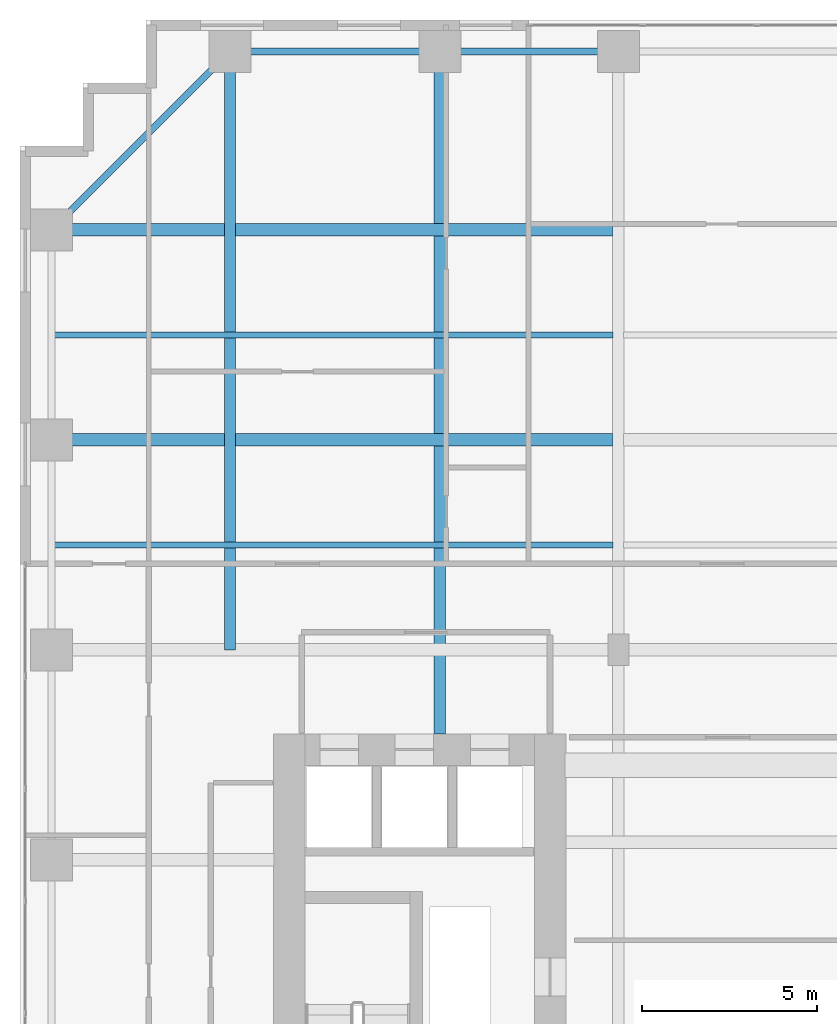
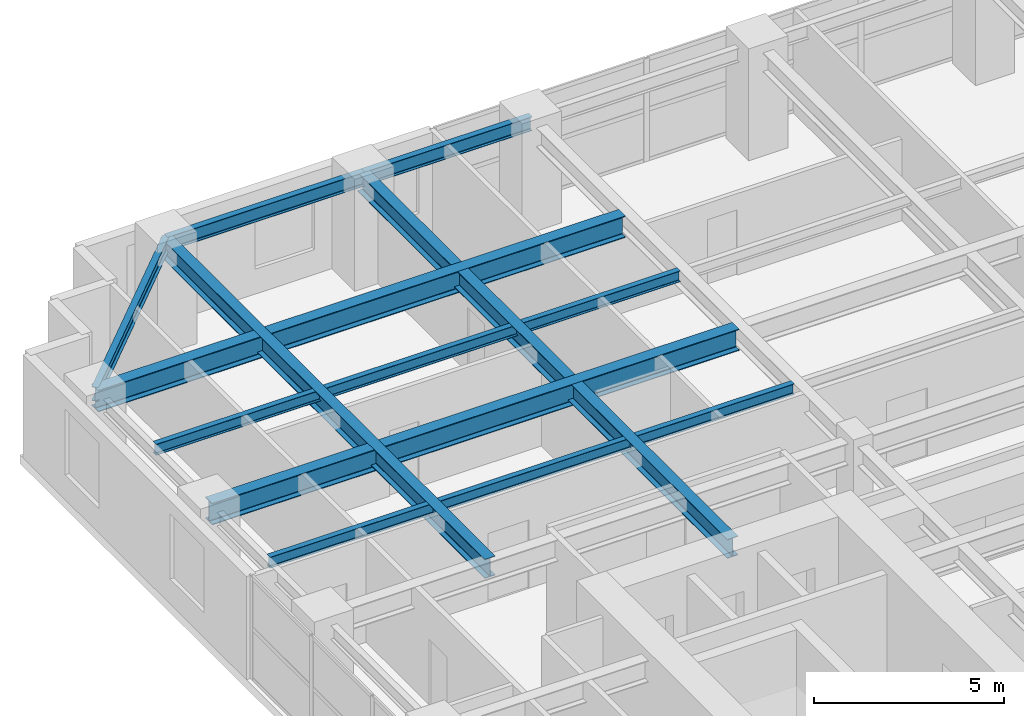
# One storey, part 11 of 24: 9 beams.
"""IFC4 building model written with IfcOpenShell, lengths in metres."""

import ifcopenshell
import ifcopenshell.guid

model = None  # the IFC model being written
_history = None  # IfcOwnerHistory: only IFC2X3 demands one
_inside = {}  # id of a spatial element -> (the spatial element, [elements in it])
_under = {}  # id of a project, library or spatial element -> (it, [spatial elements below it])
_declared = {}  # id of a project -> (the project, [libraries it declares])
_typed = {}  # id of a type object -> (the type object, [elements of that type])
_made_of = {}  # id of a material, layer set ... -> (it, [elements and type objects made of it])


def new_model(schema):
    """Start an empty IFC model of exactly this schema.

    Asked for "IFC4X3", IfcOpenShell would pick the latest addendum, in which some entities
    have other attributes; the version numbers below select the first issue.
    IFC2X3 requires an IfcOwnerHistory on every rooted entity: one is made here for all.
    """
    global model, _history
    if schema == "IFC4X3":
        model = ifcopenshell.file(schema_version=(4, 3, 0, 0))
    else:
        model = ifcopenshell.file(schema=schema)
    _inside.clear()
    _under.clear()
    _declared.clear()
    _typed.clear()
    _made_of.clear()
    _history = None
    if model.schema == "IFC2X3":
        org = make("IfcOrganization", Name="unknown")
        user = make(
            "IfcPersonAndOrganization",
            ThePerson=make("IfcPerson", FamilyName="unknown"),
            TheOrganization=org,
        )
        app = make(
            "IfcApplication",
            ApplicationDeveloper=org,
            Version="unknown",
            ApplicationFullName="unknown",
            ApplicationIdentifier="unknown",
        )
        _history = make(
            "IfcOwnerHistory",
            OwningUser=user,
            OwningApplication=app,
            ChangeAction="ADDED",
            CreationDate=0,
        )
    return model


def make(cls, **values):
    """One entity of the class cls with the attributes given. An attribute that is None is left unset."""
    return model.create_entity(
        cls, **{name: value for name, value in values.items() if value is not None}
    )


def rooted(cls, **values):
    """An entity with a GlobalId (a new one), such as an element, a storey or a relation."""
    return make(cls, GlobalId=ifcopenshell.guid.new(), OwnerHistory=_history, **values)


def si_unit(unit_type, name, prefix=None):
    """IfcSIUnit, for example si_unit("LENGTHUNIT", "METRE", prefix="MILLI")."""
    return make("IfcSIUnit", UnitType=unit_type, Prefix=prefix, Name=name)


def assignment(units):
    """IfcUnitAssignment: the units of a project."""
    return None if units is None else make("IfcUnitAssignment", Units=units)


def point(xyz):
    """IfcCartesianPoint."""
    return None if xyz is None else make("IfcCartesianPoint", Coordinates=xyz)


def direction(xyz):
    """IfcDirection."""
    return None if xyz is None else make("IfcDirection", DirectionRatios=xyz)


def frame(location, z_axis=None, x_axis=None):
    """IfcAxis2Placement3D, a coordinate frame: its origin and axes. An axis left out is left unset."""
    return make(
        "IfcAxis2Placement3D",
        Location=point(location),
        Axis=direction(z_axis),
        RefDirection=direction(x_axis),
    )


def frame_2d(location, x_axis=None):
    """IfcAxis2Placement2D, a coordinate frame in the plane: its origin and x axis."""
    return make(
        "IfcAxis2Placement2D", Location=point(location), RefDirection=direction(x_axis)
    )


def origin():
    """The frame at (0, 0, 0) with its axes left unset."""
    return frame((0.0, 0.0, 0.0))


def origin_2d():
    """The frame at (0, 0) in the plane with its x axis left unset."""
    return frame_2d((0.0, 0.0))


def place(relative_to, where):
    """IfcLocalPlacement: puts the frame where relative to a parent placement (None: the world)."""
    return make(
        "IfcLocalPlacement", PlacementRelTo=relative_to, RelativePlacement=where
    )


def context(
    kind, dimensions, precision=None, world=None, true_north=None, identifier=None
):
    """IfcGeometricRepresentationContext, for example the 3D "Model" context."""
    return make(
        "IfcGeometricRepresentationContext",
        ContextIdentifier=identifier,
        ContextType=kind,
        CoordinateSpaceDimension=dimensions,
        Precision=precision,
        WorldCoordinateSystem=world,
        TrueNorth=true_north,
    )


def subcontext(parent, identifier, kind, view, scale=None):
    """IfcGeometricRepresentationSubContext, for example "Body" below "Model"."""
    return make(
        "IfcGeometricRepresentationSubContext",
        ContextIdentifier=identifier,
        ContextType=kind,
        ParentContext=parent,
        TargetScale=scale,
        TargetView=view,
    )


def project(units=None, contexts=None):
    """IfcProject with its units and contexts."""
    return rooted(
        "IfcProject",
        Name="project",
        RepresentationContexts=contexts,
        UnitsInContext=assignment(units),
    )


def spatial(cls, under=None, at=None, **own):
    """A site, building, storey or space (cls), placed at a placement, below another one or the project."""
    s = rooted(cls, ObjectPlacement=at, **own)
    if under is not None:
        _under.setdefault(under.id(), (under, []))[1].append(s)
    return s


def profile(cls, at=None, kind="AREA", **sizes):
    """A parametric profile (cls). Its sizes go by their IFC names, for example OverallWidth=200.0."""
    return make(cls, ProfileType=kind, Position=at, **sizes)


def i_section(**sizes):
    """IfcIShapeProfileDef."""
    return profile("IfcIShapeProfileDef", **sizes)


def extrude(swept, where, along, depth):
    """IfcExtrudedAreaSolid: the profile swept, set in the frame where, extruded along a direction by depth."""
    return make(
        "IfcExtrudedAreaSolid",
        SweptArea=swept,
        Position=where,
        ExtrudedDirection=direction(along),
        Depth=depth,
    )


def shape(context_of_items, identifier, shape_type, items):
    """IfcShapeRepresentation: the items that make up one representation, for example the "Body"."""
    return make(
        "IfcShapeRepresentation",
        ContextOfItems=context_of_items,
        RepresentationIdentifier=identifier,
        RepresentationType=shape_type,
        Items=items,
    )


def source(mapping_origin, context_of_items, identifier, shape_type, items):
    """IfcRepresentationMap: a shape defined once, which mapped items show again and again."""
    return make(
        "IfcRepresentationMap",
        MappingOrigin=mapping_origin,
        MappedRepresentation=shape(context_of_items, identifier, shape_type, items),
    )


def transform(
    local_origin,
    x_axis=None,
    y_axis=None,
    z_axis=None,
    scale=None,
    scale2=None,
    scale3=None,
    uniform=True,
):
    """IfcCartesianTransformationOperator3D, or its non-uniform kind. x_axis, y_axis, z_axis: its Axis1, 2, 3."""
    if uniform:
        return make(
            "IfcCartesianTransformationOperator3D",
            Axis1=direction(x_axis),
            Axis2=direction(y_axis),
            LocalOrigin=point(local_origin),
            Scale=scale,
            Axis3=direction(z_axis),
        )
    return make(
        "IfcCartesianTransformationOperator3DnonUniform",
        Axis1=direction(x_axis),
        Axis2=direction(y_axis),
        LocalOrigin=point(local_origin),
        Scale=scale,
        Axis3=direction(z_axis),
        Scale2=scale2,
        Scale3=scale3,
    )


def mapped(mapping_source, mapping_target):
    """IfcMappedItem: shows the shape of a source again, moved by a transform."""
    return make(
        "IfcMappedItem", MappingSource=mapping_source, MappingTarget=mapping_target
    )


def material(Name=None, Category=None):
    """IfcMaterial."""
    return make("IfcMaterial", Name=Name, Category=Category)


def material_profile(
    of_material, cross_section, Name=None, Category=None, Priority=None
):
    """IfcMaterialProfile: a cross section and its material."""
    return make(
        "IfcMaterialProfile",
        Name=Name,
        Material=of_material,
        Profile=cross_section,
        Priority=Priority,
        Category=Category,
    )


def profile_set(profiles, Name=None, composite=None):
    """IfcMaterialProfileSet."""
    return make(
        "IfcMaterialProfileSet",
        Name=Name,
        MaterialProfiles=profiles,
        CompositeProfile=composite,
    )


def made_of(thing, what):
    """Note that an element or type object is made of a material, layer set ...; save() writes the relation."""
    if what is not None:
        _made_of.setdefault(what.id(), (what, []))[1].append(thing)
    return thing


def type_object(cls, material=None, **own):
    """A type object (cls), such as IfcWallType, which elements share."""
    return made_of(rooted(cls, **own), material)


def element(
    cls,
    number,
    at=None,
    inside=None,
    cuts=None,
    type_object=None,
    material=None,
    context=None,
    identifier="Body",
    shape_type=None,
    held_by="IfcProductDefinitionShape",
    body=None,
    shapes=None,
    **own,
):
    """One element of the class cls, such as IfcWall. Its Tag is "e" and its number.

    at: its placement. inside: the storey or other place that contains it. cuts: it is an
    opening in that element (IfcRelVoidsElement). A single representation is given by context,
    identifier, shape_type and body (its items); several are given by shapes. held_by: the class
    of the entity that holds the representations. save() writes the other relations.
    """
    e = rooted(cls, Tag="e%d" % number, ObjectPlacement=at, **own)
    if body is not None:
        shapes = [shape(context, identifier, shape_type, body)]
    if shapes is not None:
        e.Representation = make(held_by, Representations=shapes)
    if inside is not None:
        _inside.setdefault(inside.id(), (inside, []))[1].append(e)
    if cuts is not None:
        rooted(
            "IfcRelVoidsElement", RelatingBuildingElement=cuts, RelatedOpeningElement=e
        )
    if type_object is not None:
        _typed.setdefault(type_object.id(), (type_object, []))[1].append(e)
    return made_of(e, material)


def aggregate(whole, parts):
    """IfcRelAggregates: a whole, such as a stair, and the parts it consists of."""
    return rooted("IfcRelAggregates", RelatingObject=whole, RelatedObjects=parts)


def save(model, path):
    """Write the relations noted so far, then the file.

    IfcRelAggregates (storeys below a building ...), IfcRelContainedInSpatialStructure (elements
    in a storey), IfcRelDefinesByType, IfcRelAssociatesMaterial and IfcRelDeclares: one each for
    every whole, place, type object, material and project.
    """
    for whole, parts in _under.values():
        aggregate(whole, parts)
    for where, things in _inside.values():
        rooted(
            "IfcRelContainedInSpatialStructure",
            RelatedElements=things,
            RelatingStructure=where,
        )
    for kind, things in _typed.values():
        rooted("IfcRelDefinesByType", RelatedObjects=things, RelatingType=kind)
    for what, things in _made_of.values():
        rooted("IfcRelAssociatesMaterial", RelatedObjects=things, RelatingMaterial=what)
    for by, libraries in _declared.values():
        rooted("IfcRelDeclares", RelatingContext=by, RelatedDefinitions=libraries)
    model.write(path)


model = new_model("IFC4")

# Units and contexts
model_context = context("Model", 3, precision=1e-05, world=origin(), true_north=direction((0.0, 1.0)))
body_context = subcontext(model_context, "Body", "Model", "MODEL_VIEW")
ifc_project = project(units=[si_unit("LENGTHUNIT", "METRE"), si_unit("AREAUNIT", "SQUARE_METRE"), si_unit("VOLUMEUNIT", "CUBIC_METRE"), si_unit("PLANEANGLEUNIT", "RADIAN"), si_unit("MASSUNIT", "GRAM", prefix="KILO")], contexts=[model_context])

# Site, building, storey
site_placement = place(None, origin())
site = spatial("IfcSite", under=ifc_project, at=site_placement, CompositionType="ELEMENT")
building_placement = place(site_placement, origin())
building = spatial("IfcBuilding", under=site, at=building_placement, Name="Khoralis Quay Care Tower", CompositionType="ELEMENT")
storey_placement = place(building_placement, frame((0.0, 0.0, 62.10009765625)))
storey = spatial("IfcBuildingStorey", under=building, at=storey_placement, Name="L16", CompositionType="ELEMENT", Elevation=62.10009765625)

# Beams
ifc_material = material(Name="Steel S355", Category="steel")
ifc_material_profile_1 = material_profile(ifc_material, i_section(OverallWidth=0.18994140625, OverallDepth=0.449951171875, WebThickness=0.009521484375, FlangeThickness=0.0146484375, FilletRadius=0.02099609375, at=origin_2d()), Name="Steel S355")
ifc_profile_set_1 = profile_set([ifc_material_profile_1], Name="Steel S355")
beam_type_1 = type_object("IfcBeamType", Name="BM-IPE450", PredefinedType="SPANDREL", material=ifc_profile_set_1)
shared_shape_1 = source(origin(), body_context, "Body", "SweptSolid", [
    extrude(i_section(OverallWidth=0.18994140625, OverallDepth=0.449951171875, WebThickness=0.009521484375, FlangeThickness=0.0146484375, FilletRadius=0.02099609375, at=origin_2d()), origin(), (0.0, 0.0, 1.0), 6.0),
])
beam_1_placement = place(storey_placement, frame((6.0, 47.10009765625, 3.094970703125), z_axis=(1.0, 0.0, 0.0), x_axis=(0.0, 1.0, 0.0)))
element("IfcBeam", 1, at=beam_1_placement, inside=storey, type_object=beam_type_1, Name="BM-TSP-L16-07", PredefinedType="SPANDREL", context=body_context, shape_type="MappedRepresentation", body=[
    mapped(shared_shape_1, transform((0.0, 0.0, 0.0), scale=1.0)),
])
shared_shape_2 = source(origin(), body_context, "Body", "SweptSolid", [
    extrude(i_section(OverallWidth=0.18994140625, OverallDepth=0.449951171875, WebThickness=0.009521484375, FlangeThickness=0.0146484375, FilletRadius=0.02099609375, at=origin_2d()), origin(), (0.0, 0.0, 1.0), 5.10009765625),
])
beam_2_placement = place(storey_placement, frame((12.0, 47.10009765625, 3.094970703125), z_axis=(1.0, 0.0, 0.0), x_axis=(0.0, 1.0, 0.0)))
element("IfcBeam", 2, at=beam_2_placement, inside=storey, type_object=beam_type_1, Name="BM-TSP-L16-08", PredefinedType="SPANDREL", context=body_context, shape_type="MappedRepresentation", body=[
    mapped(shared_shape_2, transform((0.0, 0.0, 0.0), scale=1.0)),
])
shared_shape_3 = source(origin(), body_context, "Body", "SweptSolid", [
    extrude(i_section(OverallWidth=0.18994140625, OverallDepth=0.449951171875, WebThickness=0.009521484375, FlangeThickness=0.0146484375, FilletRadius=0.02099609375, at=origin_2d()), origin(), (0.0, 0.0, 1.0), 7.212646484375),
])
beam_3_placement = place(storey_placement, frame((6.0, 47.10009765625, 3.094970703125), z_axis=(-0.707106781187, -0.707106781187, 0.0), x_axis=(0.707106781187, -0.707106781187, 0.0)))
element("IfcBeam", 3, at=beam_3_placement, inside=storey, type_object=beam_type_1, Name="BM-TCR-L16-27", PredefinedType="SPANDREL", context=body_context, shape_type="MappedRepresentation", body=[
    mapped(shared_shape_3, transform((0.0, 0.0, 0.0), scale=1.0)),
])
ifc_material_profile_2 = material_profile(ifc_material, i_section(OverallWidth=0.35498046875, OverallDepth=0.695068359375, WebThickness=0.015380859375, FlangeThickness=0.02490234375, FilletRadius=0.02001953125, at=origin_2d()), Name="Steel S355")
ifc_profile_set_2 = profile_set([ifc_material_profile_2], Name="Steel S355")
beam_type_2 = type_object("IfcBeamType", Name="BM-W690X217", PredefinedType="BEAM", material=ifc_profile_set_2)
shared_shape_4 = source(origin(), body_context, "Body", "SweptSolid", [
    extrude(i_section(OverallWidth=0.35498046875, OverallDepth=0.695068359375, WebThickness=0.015380859375, FlangeThickness=0.02490234375, FilletRadius=0.02001953125, at=origin_2d()), origin(), (0.0, 0.0, 1.0), 16.049560546875),
])
for number, where, z_axis, x_axis, name in (
    (4, (0.89990234375, 36.0, 2.972412109375), (1.0, 0.0, 0.0), (0.0, 1.0, 0.0), "BM-TGXW-L16-360"),
    (5, (0.89990234375, 42.0, 2.972412109375), (1.0, 0.0, 0.0), (0.0, 1.0, 0.0), "BM-TGXW-L16-420"),
):
    element("IfcBeam", number, at=place(storey_placement, frame(where, z_axis=z_axis, x_axis=x_axis)), inside=storey, type_object=beam_type_2, Name=name, PredefinedType="BEAM", context=body_context, shape_type="MappedRepresentation", body=[
        mapped(shared_shape_4, transform((0.0, 0.0, 0.0), scale=1.0)),
    ])
ifc_material_profile_3 = material_profile(ifc_material, i_section(OverallWidth=0.324951171875, OverallDepth=0.615966796875, WebThickness=0.013916015625, FlangeThickness=0.021484375, FilletRadius=0.01806640625, at=origin_2d()), Name="Steel S355")
ifc_profile_set_3 = profile_set([ifc_material_profile_3], Name="Steel S355")
beam_type_3 = type_object("IfcBeamType", Name="BM-W610X174", PredefinedType="BEAM", material=ifc_profile_set_3)
shared_shape_5 = source(origin(), body_context, "Body", "SweptSolid", [
    extrude(i_section(OverallWidth=0.324951171875, OverallDepth=0.615966796875, WebThickness=0.013916015625, FlangeThickness=0.021484375, FilletRadius=0.01806640625, at=origin_2d()), origin(), (0.0, 0.0, 1.0), 17.10009765625),
])
beam_4_placement = place(storey_placement, frame((6.0, 30.0, 3.011962890625), z_axis=(0.0, 1.0, 0.0), x_axis=(-1.0, 0.0, 0.0)))
element("IfcBeam", 6, at=beam_4_placement, inside=storey, type_object=beam_type_3, Name="BM-TGYN-L16-60", PredefinedType="BEAM", context=body_context, shape_type="MappedRepresentation", body=[
    mapped(shared_shape_5, transform((0.0, 0.0, 0.0), scale=1.0)),
])
shared_shape_6 = source(origin(), body_context, "Body", "SweptSolid", [
    extrude(i_section(OverallWidth=0.324951171875, OverallDepth=0.615966796875, WebThickness=0.013916015625, FlangeThickness=0.021484375, FilletRadius=0.01806640625, at=origin_2d()), origin(), (0.0, 0.0, 1.0), 19.502197265625),
])
beam_5_placement = place(storey_placement, frame((12.0, 27.597900390625, 3.011962890625), z_axis=(0.0, 1.0, 0.0), x_axis=(-1.0, 0.0, 0.0)))
element("IfcBeam", 7, at=beam_5_placement, inside=storey, type_object=beam_type_3, Name="BM-TGYN-L16-120", PredefinedType="BEAM", context=body_context, shape_type="MappedRepresentation", body=[
    mapped(shared_shape_6, transform((0.0, 0.0, 0.0), scale=1.0)),
])
ifc_material_profile_4 = material_profile(ifc_material, i_section(OverallWidth=0.1708984375, OverallDepth=0.35498046875, WebThickness=0.007080078125, FlangeThickness=0.01171875, FilletRadius=0.012939453125, at=origin_2d()), Name="Steel S355")
ifc_profile_set_4 = profile_set([ifc_material_profile_4], Name="Steel S355")
beam_type_4 = type_object("IfcBeamType", Name="BM-W360X51", PredefinedType="JOIST", material=ifc_profile_set_4)
shared_shape_7 = source(origin(), body_context, "Body", "SweptSolid", [
    extrude(i_section(OverallWidth=0.1708984375, OverallDepth=0.35498046875, WebThickness=0.007080078125, FlangeThickness=0.01171875, FilletRadius=0.012939453125, at=origin_2d()), origin(), (0.0, 0.0, 1.0), 15.968505859375),
])
for number, where, z_axis, x_axis, name in (
    (8, (0.98095703125, 33.0, 3.142333984375), (1.0, 0.0, 0.0), (0.0, 1.0, 0.0), "BM-TJS-L16-32"),
    (9, (0.98095703125, 39.0, 3.142333984375), (1.0, 0.0, 0.0), (0.0, 1.0, 0.0), "BM-TJS-L16-35"),
):
    element("IfcBeam", number, at=place(storey_placement, frame(where, z_axis=z_axis, x_axis=x_axis)), inside=storey, type_object=beam_type_4, Name=name, PredefinedType="JOIST", context=body_context, shape_type="MappedRepresentation", body=[
        mapped(shared_shape_7, transform((0.0, 0.0, 0.0), scale=1.0)),
    ])

save(model, "model.ifc")
